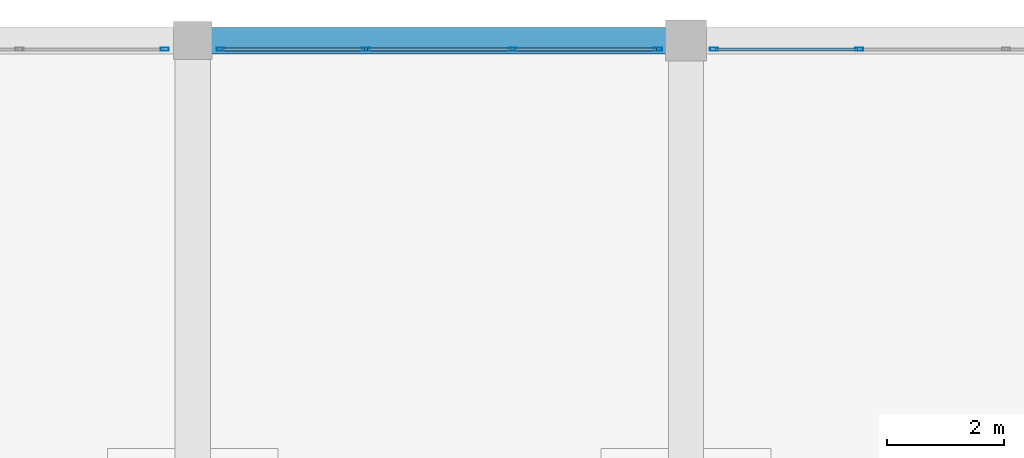
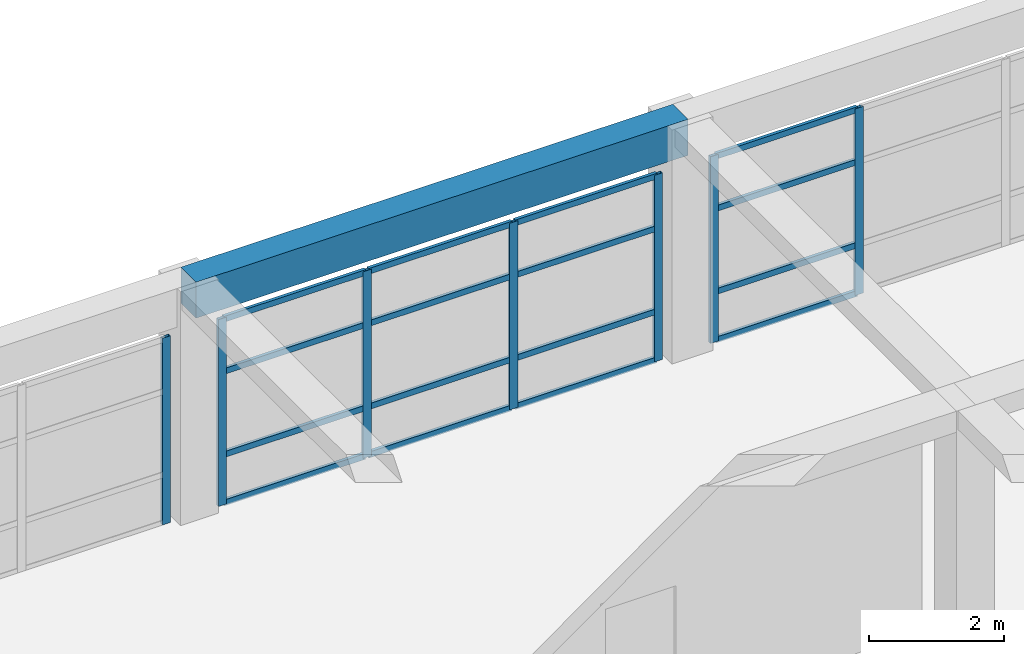
# One storey, part 50 of 85: 23 members, 1 beam, 3 elements without a shape of their own.
"""IFC4 building model written with IfcOpenShell, lengths in metres."""

from ifc_helpers import new_model, si_unit, direction, frame, origin, origin_2d, place, context, subcontext, project, spatial, rectangle, hollow_rectangle, extrude, material, material_profile, profile_set, type_object, element, aggregate, save


model = new_model("IFC4")

# Units and contexts
model_context = context("Model", 3, precision=1e-05, world=origin(), true_north=direction((0.0, 1.0)))
body_context = subcontext(model_context, "Body", "Model", "MODEL_VIEW")
ifc_project = project(units=[si_unit("LENGTHUNIT", "METRE"), si_unit("AREAUNIT", "SQUARE_METRE"), si_unit("VOLUMEUNIT", "CUBIC_METRE"), si_unit("PLANEANGLEUNIT", "RADIAN"), si_unit("MASSUNIT", "GRAM", prefix="KILO")], contexts=[model_context])

# Site, building, storey
site_placement = place(None, origin())
site = spatial("IfcSite", under=ifc_project, at=site_placement, CompositionType="ELEMENT")
building_placement = place(site_placement, origin())
building = spatial("IfcBuilding", under=site, at=building_placement, Name="Almacenes y Pasaje Nevantli", CompositionType="ELEMENT")
storey_placement = place(building_placement, frame((0.0, 0.0, 22.199951171875)))
storey = spatial("IfcBuildingStorey", under=building, at=storey_placement, Name="L05", CompositionType="ELEMENT", Elevation=22.199951171875)

# Beam
ifc_material_1 = material(Name="Concrete C35/45", Category="concrete")
ifc_material_profile_1 = material_profile(ifc_material_1, rectangle(XDim=0.449951171875, YDim=0.64990234375, at=origin_2d()), Name="RC-BM-450x650")
ifc_profile_set_1 = profile_set([ifc_material_profile_1], Name="Concrete C35/45")
beam_type = type_object("IfcBeamType", Name="BM-RC-450x650", PredefinedType="SPANDREL", material=ifc_profile_set_1)
beam_placement = place(storey_placement, frame((109.199951171875, 117.60009765625, 3.89501953125), z_axis=(1.0, 0.0, 0.0), x_axis=(0.0, 1.0, 0.0)))
element("IfcBeam", 1, at=beam_placement, inside=storey, type_object=beam_type, Name="L05 East-West Reinforced Concrete Beam #3415", PredefinedType="SPANDREL", context=body_context, shape_type="SweptSolid", body=[
    extrude(rectangle(XDim=0.449951171875, YDim=0.64990234375, at=origin_2d()), origin(), (0.0, 0.0, 1.0), 8.400146484375),
])

# Curtain wall, member
ifc_material_2 = material(Name="Thermally Broken Aluminium and Low-E Glass", Category="aluminium")
curtain_wall_type = type_object("IfcCurtainWallType", Name="CW-UNIT-PODIUM", PredefinedType="USERDEFINED", material=ifc_material_2)
curtain_wall_1_placement = place(storey_placement, origin())
curtain_wall_1 = element("IfcCurtainWall", 2, at=curtain_wall_1_placement, inside=storey, type_object=curtain_wall_type, Name="L05 Sky-Lobby North Curtain Wall Bay 13", ObjectType="UNITIZED CURTAIN WALL", PredefinedType="USERDEFINED")
ifc_material_3 = material(Name="Thermally Broken Anodized Aluminium", Category="aluminium")
ifc_material_profile_2 = material_profile(ifc_material_3, hollow_rectangle(XDim=0.054931640625, YDim=0.139892578125, WallThickness=0.00341796875, at=origin_2d()), Name="ALU-MUL-55x140")
ifc_profile_set_2 = profile_set([ifc_material_profile_2], Name="Thermally Broken Anodized Aluminium")
member_type_1 = type_object("IfcMemberType", Name="CW-MUL-160", PredefinedType="MULLION", material=ifc_profile_set_2)
member_1_placement = place(storey_placement, frame((108.722412109375, 117.449951171875, 0.0), z_axis=(0.0, 0.0, 1.0), x_axis=(0.0, 1.0, 0.0)))
member_1 = element("IfcMember", 3, at=member_1_placement, type_object=member_type_1, Name="CW-L05-084 mullion 4", PredefinedType="MULLION", context=body_context, shape_type="SweptSolid", body=[
    extrude(hollow_rectangle(XDim=0.054931640625, YDim=0.139892578125, WallThickness=0.00341796875, at=origin_2d()), origin(), (0.0, 0.0, 1.0), 3.3701171875),
])
aggregate(curtain_wall_1, [member_1])

# Curtain wall, members
curtain_wall_2_placement = place(storey_placement, origin())
curtain_wall_2 = element("IfcCurtainWall", 4, at=curtain_wall_2_placement, inside=storey, type_object=curtain_wall_type, Name="L05 Sky-Lobby North Curtain Wall Bay 14", ObjectType="UNITIZED CURTAIN WALL", PredefinedType="USERDEFINED")
member_2_placement = place(storey_placement, frame((109.677490234375, 117.449951171875, 0.0), z_axis=(0.0, 0.0, 1.0), x_axis=(0.0, 1.0, 0.0)))
member_2 = element("IfcMember", 5, at=member_2_placement, type_object=member_type_1, Name="CW-L05-085 mullion 1", PredefinedType="MULLION", context=body_context, shape_type="SweptSolid", body=[
    extrude(hollow_rectangle(XDim=0.054931640625, YDim=0.139892578125, WallThickness=0.00341796875, at=origin_2d()), origin(), (0.0, 0.0, 1.0), 3.3701171875),
])
member_3_placement = place(storey_placement, frame((112.14990234375, 117.449951171875, 0.0), z_axis=(0.0, 0.0, 1.0), x_axis=(0.0, 1.0, 0.0)))
member_3 = element("IfcMember", 6, at=member_3_placement, type_object=member_type_1, Name="CW-L05-085 mullion 2", PredefinedType="MULLION", context=body_context, shape_type="SweptSolid", body=[
    extrude(hollow_rectangle(XDim=0.054931640625, YDim=0.139892578125, WallThickness=0.00341796875, at=origin_2d()), origin(), (0.0, 0.0, 1.0), 3.3701171875),
])
member_4_placement = place(storey_placement, frame((114.64990234375, 117.449951171875, 0.0), z_axis=(0.0, 0.0, 1.0), x_axis=(0.0, 1.0, 0.0)))
member_4 = element("IfcMember", 7, at=member_4_placement, type_object=member_type_1, Name="CW-L05-085 mullion 3", PredefinedType="MULLION", context=body_context, shape_type="SweptSolid", body=[
    extrude(hollow_rectangle(XDim=0.054931640625, YDim=0.139892578125, WallThickness=0.00341796875, at=origin_2d()), origin(), (0.0, 0.0, 1.0), 3.3701171875),
])
member_5_placement = place(storey_placement, frame((117.12255859375, 117.449951171875, 0.0), z_axis=(0.0, 0.0, 1.0), x_axis=(0.0, 1.0, 0.0)))
member_5 = element("IfcMember", 8, at=member_5_placement, type_object=member_type_1, Name="CW-L05-085 mullion 4", PredefinedType="MULLION", context=body_context, shape_type="SweptSolid", body=[
    extrude(hollow_rectangle(XDim=0.054931640625, YDim=0.139892578125, WallThickness=0.00341796875, at=origin_2d()), origin(), (0.0, 0.0, 1.0), 3.3701171875),
])

curtain_wall_3_placement = place(storey_placement, origin())
curtain_wall_3 = element("IfcCurtainWall", 9, at=curtain_wall_3_placement, inside=storey, type_object=curtain_wall_type, Name="L05 Sky-Lobby North Curtain Wall Bay 15", ObjectType="UNITIZED CURTAIN WALL", PredefinedType="USERDEFINED")
member_6_placement = place(storey_placement, frame((118.077392578125, 117.449951171875, 0.0), z_axis=(0.0, 0.0, 1.0), x_axis=(0.0, 1.0, 0.0)))
member_6 = element("IfcMember", 10, at=member_6_placement, type_object=member_type_1, Name="CW-L05-086 mullion 1", PredefinedType="MULLION", context=body_context, shape_type="SweptSolid", body=[
    extrude(hollow_rectangle(XDim=0.054931640625, YDim=0.139892578125, WallThickness=0.00341796875, at=origin_2d()), origin(), (0.0, 0.0, 1.0), 3.3701171875),
])
member_7_placement = place(storey_placement, frame((120.550048828125, 117.449951171875, 0.0), z_axis=(0.0, 0.0, 1.0), x_axis=(0.0, 1.0, 0.0)))
member_7 = element("IfcMember", 11, at=member_7_placement, type_object=member_type_1, Name="CW-L05-086 mullion 2", PredefinedType="MULLION", context=body_context, shape_type="SweptSolid", body=[
    extrude(hollow_rectangle(XDim=0.054931640625, YDim=0.139892578125, WallThickness=0.00341796875, at=origin_2d()), origin(), (0.0, 0.0, 1.0), 3.3701171875),
])

# Member
ifc_material_4 = material(Name="Thermally Broken Anodized Aluminium", Category="aluminium")
ifc_material_profile_3 = material_profile(ifc_material_4, hollow_rectangle(XDim=0.054931640625, YDim=0.10498046875, WallThickness=0.003173828125, at=origin_2d()), Name="ALU-TRN-55x105")
ifc_profile_set_3 = profile_set([ifc_material_profile_3], Name="Thermally Broken Anodized Aluminium")
member_type_2 = type_object("IfcMemberType", Name="CW-TRN-120", PredefinedType="USERDEFINED", material=ifc_profile_set_3)
member_8_placement = place(storey_placement, frame((109.705078125, 117.449951171875, 0.027587890625), z_axis=(1.0, 0.0, 0.0), x_axis=(0.0, 1.0, 0.0)))
member_8 = element("IfcMember", 12, at=member_8_placement, type_object=member_type_2, Name="CW-L05-085 transom 1.1", ObjectType="TRANSOM", PredefinedType="USERDEFINED", context=body_context, shape_type="SweptSolid", body=[
    extrude(hollow_rectangle(XDim=0.054931640625, YDim=0.10498046875, WallThickness=0.003173828125, at=origin_2d()), origin(), (0.0, 0.0, 1.0), 2.41748046875),
])

member_9_placement = place(storey_placement, frame((109.705078125, 117.449951171875, 0.900146484375), z_axis=(1.0, 0.0, 0.0), x_axis=(0.0, 1.0, 0.0)))
member_9 = element("IfcMember", 13, at=member_9_placement, type_object=member_type_2, Name="CW-L05-085 transom 1.2", ObjectType="TRANSOM", PredefinedType="USERDEFINED", context=body_context, shape_type="SweptSolid", body=[
    extrude(hollow_rectangle(XDim=0.054931640625, YDim=0.10498046875, WallThickness=0.003173828125, at=origin_2d()), origin(), (0.0, 0.0, 1.0), 2.41748046875),
])

member_10_placement = place(storey_placement, frame((109.705078125, 117.449951171875, 2.400146484375), z_axis=(1.0, 0.0, 0.0), x_axis=(0.0, 1.0, 0.0)))
member_10 = element("IfcMember", 14, at=member_10_placement, type_object=member_type_2, Name="CW-L05-085 transom 1.3", ObjectType="TRANSOM", PredefinedType="USERDEFINED", context=body_context, shape_type="SweptSolid", body=[
    extrude(hollow_rectangle(XDim=0.054931640625, YDim=0.10498046875, WallThickness=0.003173828125, at=origin_2d()), origin(), (0.0, 0.0, 1.0), 2.41748046875),
])

member_11_placement = place(storey_placement, frame((109.705078125, 117.449951171875, 3.342529296875), z_axis=(1.0, 0.0, 0.0), x_axis=(0.0, 1.0, 0.0)))
member_11 = element("IfcMember", 15, at=member_11_placement, type_object=member_type_2, Name="CW-L05-085 transom 1.4", ObjectType="TRANSOM", PredefinedType="USERDEFINED", context=body_context, shape_type="SweptSolid", body=[
    extrude(hollow_rectangle(XDim=0.054931640625, YDim=0.10498046875, WallThickness=0.003173828125, at=origin_2d()), origin(), (0.0, 0.0, 1.0), 2.41748046875),
])

member_12_placement = place(storey_placement, frame((112.177490234375, 117.449951171875, 0.027587890625), z_axis=(1.0, 0.0, 0.0), x_axis=(0.0, 1.0, 0.0)))
member_12 = element("IfcMember", 16, at=member_12_placement, type_object=member_type_2, Name="CW-L05-085 transom 2.1", ObjectType="TRANSOM", PredefinedType="USERDEFINED", context=body_context, shape_type="SweptSolid", body=[
    extrude(hollow_rectangle(XDim=0.054931640625, YDim=0.10498046875, WallThickness=0.003173828125, at=origin_2d()), origin(), (0.0, 0.0, 1.0), 2.445068359375),
])

member_13_placement = place(storey_placement, frame((112.177490234375, 117.449951171875, 0.900146484375), z_axis=(1.0, 0.0, 0.0), x_axis=(0.0, 1.0, 0.0)))
member_13 = element("IfcMember", 17, at=member_13_placement, type_object=member_type_2, Name="CW-L05-085 transom 2.2", ObjectType="TRANSOM", PredefinedType="USERDEFINED", context=body_context, shape_type="SweptSolid", body=[
    extrude(hollow_rectangle(XDim=0.054931640625, YDim=0.10498046875, WallThickness=0.003173828125, at=origin_2d()), origin(), (0.0, 0.0, 1.0), 2.445068359375),
])

member_14_placement = place(storey_placement, frame((112.177490234375, 117.449951171875, 2.400146484375), z_axis=(1.0, 0.0, 0.0), x_axis=(0.0, 1.0, 0.0)))
member_14 = element("IfcMember", 18, at=member_14_placement, type_object=member_type_2, Name="CW-L05-085 transom 2.3", ObjectType="TRANSOM", PredefinedType="USERDEFINED", context=body_context, shape_type="SweptSolid", body=[
    extrude(hollow_rectangle(XDim=0.054931640625, YDim=0.10498046875, WallThickness=0.003173828125, at=origin_2d()), origin(), (0.0, 0.0, 1.0), 2.445068359375),
])

member_15_placement = place(storey_placement, frame((112.177490234375, 117.449951171875, 3.342529296875), z_axis=(1.0, 0.0, 0.0), x_axis=(0.0, 1.0, 0.0)))
member_15 = element("IfcMember", 19, at=member_15_placement, type_object=member_type_2, Name="CW-L05-085 transom 2.4", ObjectType="TRANSOM", PredefinedType="USERDEFINED", context=body_context, shape_type="SweptSolid", body=[
    extrude(hollow_rectangle(XDim=0.054931640625, YDim=0.10498046875, WallThickness=0.003173828125, at=origin_2d()), origin(), (0.0, 0.0, 1.0), 2.445068359375),
])

member_16_placement = place(storey_placement, frame((114.677490234375, 117.449951171875, 0.027587890625), z_axis=(1.0, 0.0, 0.0), x_axis=(0.0, 1.0, 0.0)))
member_16 = element("IfcMember", 20, at=member_16_placement, type_object=member_type_2, Name="CW-L05-085 transom 3.1", ObjectType="TRANSOM", PredefinedType="USERDEFINED", context=body_context, shape_type="SweptSolid", body=[
    extrude(hollow_rectangle(XDim=0.054931640625, YDim=0.10498046875, WallThickness=0.003173828125, at=origin_2d()), origin(), (0.0, 0.0, 1.0), 2.41748046875),
])

member_17_placement = place(storey_placement, frame((114.677490234375, 117.449951171875, 0.900146484375), z_axis=(1.0, 0.0, 0.0), x_axis=(0.0, 1.0, 0.0)))
member_17 = element("IfcMember", 21, at=member_17_placement, type_object=member_type_2, Name="CW-L05-085 transom 3.2", ObjectType="TRANSOM", PredefinedType="USERDEFINED", context=body_context, shape_type="SweptSolid", body=[
    extrude(hollow_rectangle(XDim=0.054931640625, YDim=0.10498046875, WallThickness=0.003173828125, at=origin_2d()), origin(), (0.0, 0.0, 1.0), 2.41748046875),
])

member_18_placement = place(storey_placement, frame((114.677490234375, 117.449951171875, 2.400146484375), z_axis=(1.0, 0.0, 0.0), x_axis=(0.0, 1.0, 0.0)))
member_18 = element("IfcMember", 22, at=member_18_placement, type_object=member_type_2, Name="CW-L05-085 transom 3.3", ObjectType="TRANSOM", PredefinedType="USERDEFINED", context=body_context, shape_type="SweptSolid", body=[
    extrude(hollow_rectangle(XDim=0.054931640625, YDim=0.10498046875, WallThickness=0.003173828125, at=origin_2d()), origin(), (0.0, 0.0, 1.0), 2.41748046875),
])

member_19_placement = place(storey_placement, frame((114.677490234375, 117.449951171875, 3.342529296875), z_axis=(1.0, 0.0, 0.0), x_axis=(0.0, 1.0, 0.0)))
member_19 = element("IfcMember", 23, at=member_19_placement, type_object=member_type_2, Name="CW-L05-085 transom 3.4", ObjectType="TRANSOM", PredefinedType="USERDEFINED", context=body_context, shape_type="SweptSolid", body=[
    extrude(hollow_rectangle(XDim=0.054931640625, YDim=0.10498046875, WallThickness=0.003173828125, at=origin_2d()), origin(), (0.0, 0.0, 1.0), 2.41748046875),
])

aggregate(curtain_wall_2, [member_2, member_3, member_4, member_5, member_8, member_9, member_10, member_11, member_12, member_13, member_14, member_15, member_16, member_17, member_18, member_19])

member_20_placement = place(storey_placement, frame((118.10498046875, 117.449951171875, 0.027587890625), z_axis=(1.0, 0.0, 0.0), x_axis=(0.0, 1.0, 0.0)))
member_20 = element("IfcMember", 24, at=member_20_placement, type_object=member_type_2, Name="CW-L05-086 transom 1.1", ObjectType="TRANSOM", PredefinedType="USERDEFINED", context=body_context, shape_type="SweptSolid", body=[
    extrude(hollow_rectangle(XDim=0.054931640625, YDim=0.10498046875, WallThickness=0.003173828125, at=origin_2d()), origin(), (0.0, 0.0, 1.0), 2.41748046875),
])

member_21_placement = place(storey_placement, frame((118.10498046875, 117.449951171875, 0.900146484375), z_axis=(1.0, 0.0, 0.0), x_axis=(0.0, 1.0, 0.0)))
member_21 = element("IfcMember", 25, at=member_21_placement, type_object=member_type_2, Name="CW-L05-086 transom 1.2", ObjectType="TRANSOM", PredefinedType="USERDEFINED", context=body_context, shape_type="SweptSolid", body=[
    extrude(hollow_rectangle(XDim=0.054931640625, YDim=0.10498046875, WallThickness=0.003173828125, at=origin_2d()), origin(), (0.0, 0.0, 1.0), 2.41748046875),
])

member_22_placement = place(storey_placement, frame((118.10498046875, 117.449951171875, 2.400146484375), z_axis=(1.0, 0.0, 0.0), x_axis=(0.0, 1.0, 0.0)))
member_22 = element("IfcMember", 26, at=member_22_placement, type_object=member_type_2, Name="CW-L05-086 transom 1.3", ObjectType="TRANSOM", PredefinedType="USERDEFINED", context=body_context, shape_type="SweptSolid", body=[
    extrude(hollow_rectangle(XDim=0.054931640625, YDim=0.10498046875, WallThickness=0.003173828125, at=origin_2d()), origin(), (0.0, 0.0, 1.0), 2.41748046875),
])

member_23_placement = place(storey_placement, frame((118.10498046875, 117.449951171875, 3.342529296875), z_axis=(1.0, 0.0, 0.0), x_axis=(0.0, 1.0, 0.0)))
member_23 = element("IfcMember", 27, at=member_23_placement, type_object=member_type_2, Name="CW-L05-086 transom 1.4", ObjectType="TRANSOM", PredefinedType="USERDEFINED", context=body_context, shape_type="SweptSolid", body=[
    extrude(hollow_rectangle(XDim=0.054931640625, YDim=0.10498046875, WallThickness=0.003173828125, at=origin_2d()), origin(), (0.0, 0.0, 1.0), 2.41748046875),
])

aggregate(curtain_wall_3, [member_6, member_7, member_20, member_21, member_22, member_23])

save(model, "model.ifc")
